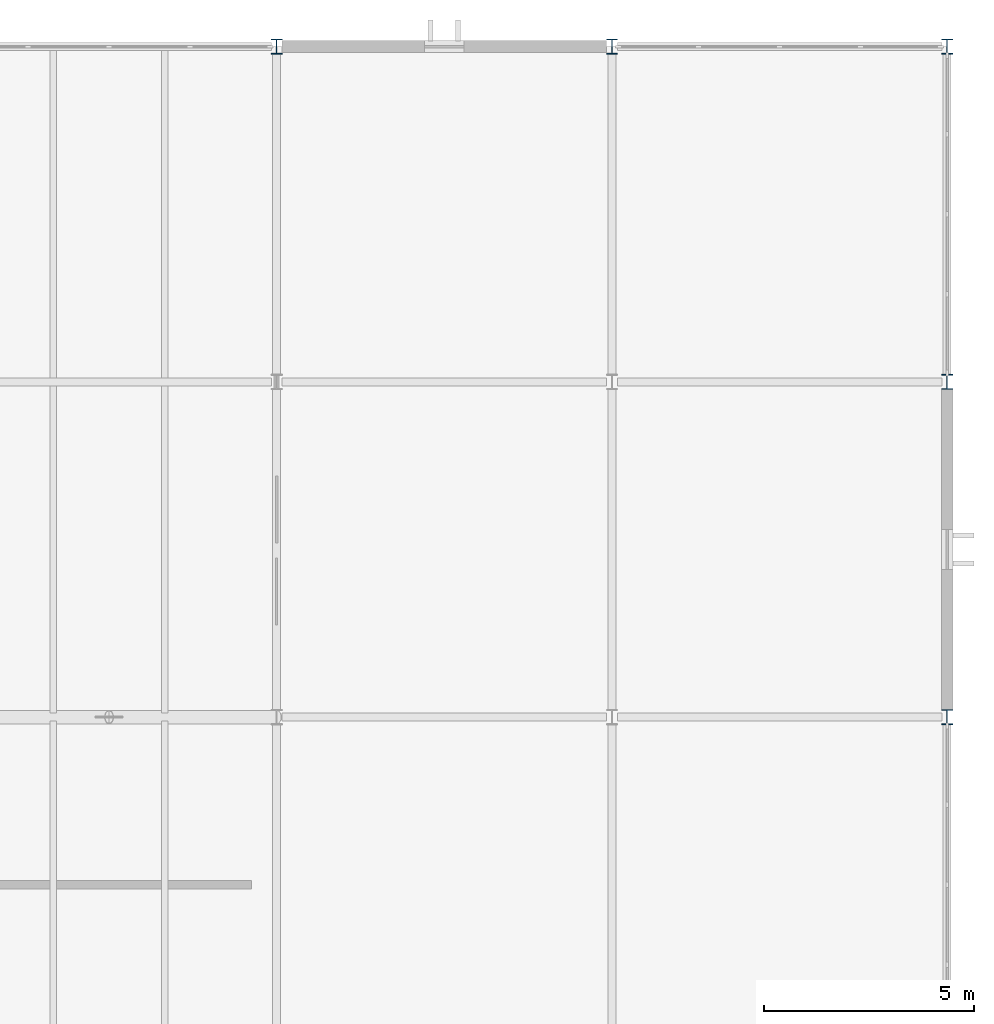
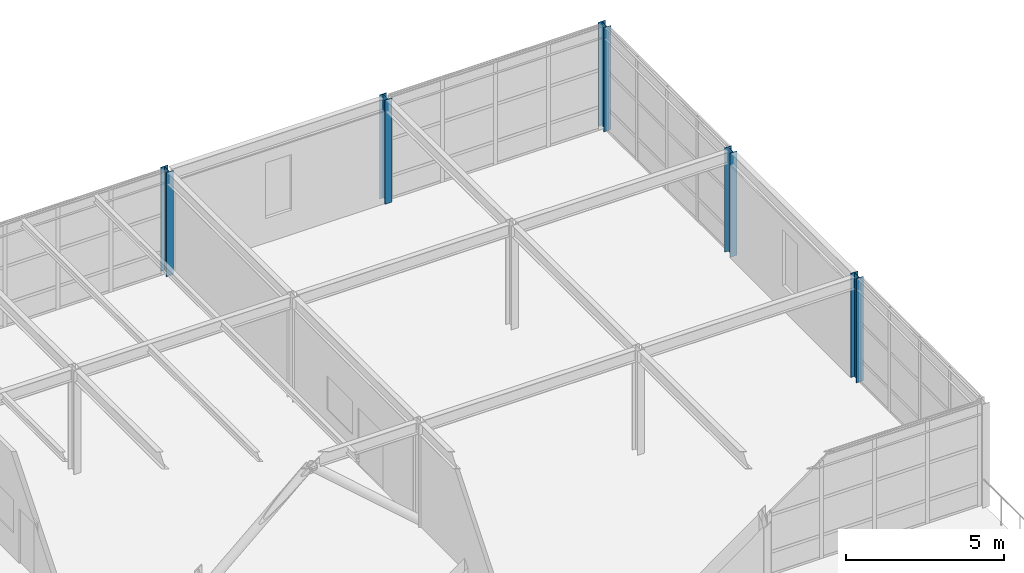
# One storey, part 4 of 21: 5 columns.
"""IFC4 building model written with IfcOpenShell, lengths in metres."""

from ifc_helpers import new_model, si_unit, direction, frame, origin, origin_2d, place, context, subcontext, project, spatial, i_section, extrude, material, material_profile, profile_set, type_object, element, save


model = new_model("IFC4")

# Units and contexts
model_context = context("Model", 3, precision=1e-05, world=origin(), true_north=direction((0.0, 1.0)))
body_context = subcontext(model_context, "Body", "Model", "MODEL_VIEW")
ifc_project = project(units=[si_unit("LENGTHUNIT", "METRE"), si_unit("AREAUNIT", "SQUARE_METRE"), si_unit("VOLUMEUNIT", "CUBIC_METRE"), si_unit("PLANEANGLEUNIT", "RADIAN"), si_unit("MASSUNIT", "GRAM", prefix="KILO")], contexts=[model_context])

# Site, building, storey
site_placement = place(None, origin())
site = spatial("IfcSite", under=ifc_project, at=site_placement, CompositionType="ELEMENT")
building_placement = place(site_placement, origin())
building = spatial("IfcBuilding", under=site, at=building_placement, Name="Varnela Railside Interchange", CompositionType="ELEMENT")
storey_placement = place(building_placement, frame((0.0, 0.0, 23.800048828125)))
storey = spatial("IfcBuildingStorey", under=building, at=storey_placement, Name="L05", CompositionType="ELEMENT", Elevation=23.800048828125)

# Columns
ifc_material = material(Name="Steel AR 350 (350 MPa)", Category="steel")
ifc_material_profile = material_profile(ifc_material, i_section(OverallWidth=0.257080078125, OverallDepth=0.363037109375, WebThickness=0.012939453125, FlangeThickness=0.021728515625, at=origin_2d()), Name="W360x122")
ifc_profile_set = profile_set([ifc_material_profile], Name="Steel AR 350 (350 MPa)")
column_type = type_object("IfcColumnType", Name="Superstructure Steel Col C-20", PredefinedType="COLUMN", material=ifc_profile_set)
for number, where, z_axis, x_axis, name in (
    (1, (36.0, 94.0, 0.0), (0.0, 0.0, 1.0), (1.0, 0.0, 0.0), "Column C-20 (L05) (CL-1006)"),
    (2, (44.0, 94.0, 0.0), (0.0, 0.0, 1.0), (1.0, 0.0, 0.0), "Column C-20 (L05) (CL-1010)"),
    (3, (52.0, 78.0, 0.0), (0.0, 0.0, 1.0), (1.0, 0.0, 0.0), "Column C-20 (L05) (CL-1012)"),
    (4, (52.0, 86.0, 0.0), (0.0, 0.0, 1.0), (1.0, 0.0, 0.0), "Column C-20 (L05) (CL-1013)"),
    (5, (52.0, 94.0, 0.0), (0.0, 0.0, 1.0), (1.0, 0.0, 0.0), "Column C-20 (L05) (CL-1014)"),
):
    element("IfcColumn", number, at=place(storey_placement, frame(where, z_axis=z_axis, x_axis=x_axis)), inside=storey, type_object=column_type, Name=name, PredefinedType="COLUMN", context=body_context, shape_type="SweptSolid", body=[
        extrude(i_section(OverallWidth=0.257080078125, OverallDepth=0.363037109375, WebThickness=0.012939453125, FlangeThickness=0.021728515625, at=origin_2d()), origin(), (0.0, 0.0, 1.0), 4.02001953125),
    ])

save(model, "model.ifc")
